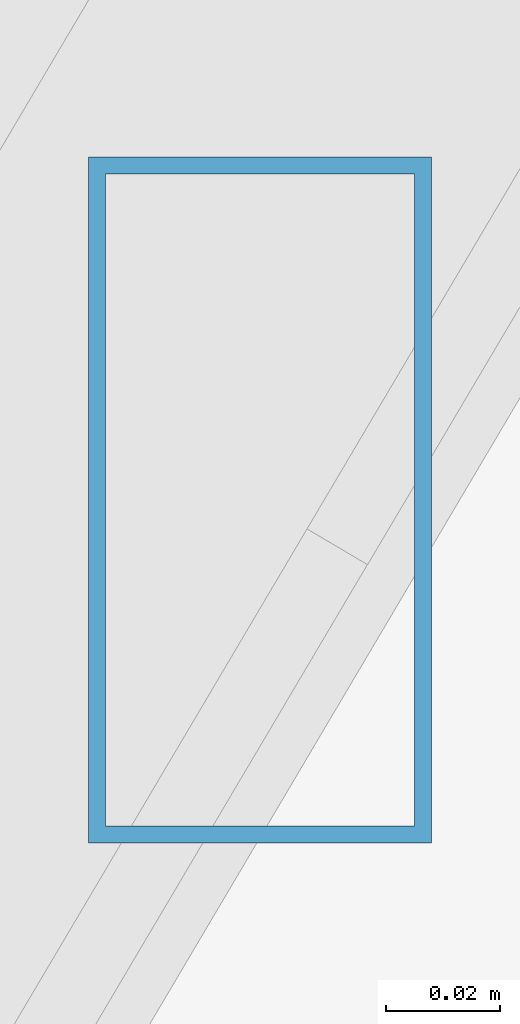
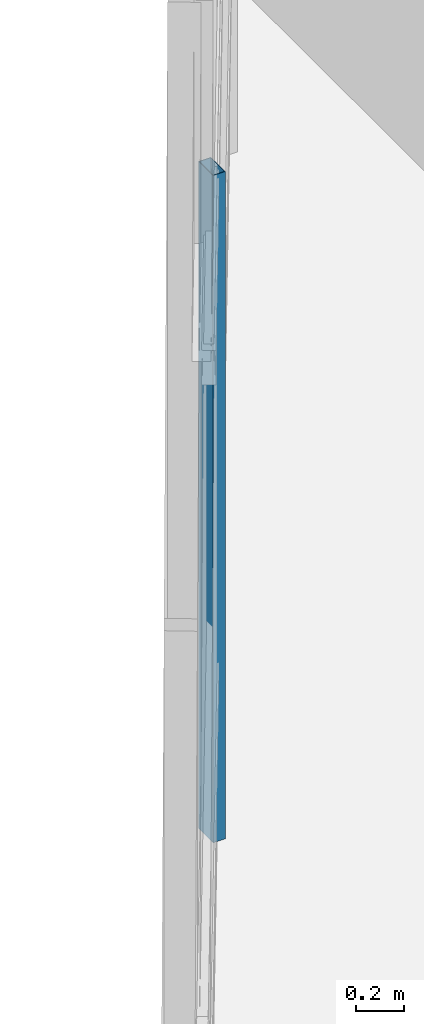
# One storey, part 36 of 50: 1 member, 1 element without a shape of its own.
"""IFC4 building model written with IfcOpenShell, lengths in metres."""

from ifc_helpers import new_model, si_unit, direction, frame, origin, origin_2d, place, context, subcontext, project, spatial, hollow_rectangle, extrude, source, transform, mapped, material, material_profile, profile_set, type_object, type_shapes, element, aggregate, save


model = new_model("IFC4")

# Units and contexts
model_context = context("Model", 3, precision=1e-05, world=origin(), true_north=direction((0.0, 1.0)))
body_context = subcontext(model_context, "Body", "Model", "MODEL_VIEW")
ifc_project = project(units=[si_unit("LENGTHUNIT", "METRE"), si_unit("AREAUNIT", "SQUARE_METRE"), si_unit("VOLUMEUNIT", "CUBIC_METRE"), si_unit("PLANEANGLEUNIT", "RADIAN"), si_unit("MASSUNIT", "GRAM", prefix="KILO")], contexts=[model_context])

# Site, building, storey
site_placement = place(None, origin())
site = spatial("IfcSite", under=ifc_project, at=site_placement, CompositionType="ELEMENT")
building_placement = place(site_placement, origin())
building = spatial("IfcBuilding", under=site, at=building_placement, Name="Caelisora Broadcast Tower", CompositionType="ELEMENT")
storey_placement = place(building_placement, frame((0.0, 0.0, 303.39990234375)))
storey = spatial("IfcBuildingStorey", under=building, at=storey_placement, Name="L80", CompositionType="ELEMENT", Elevation=303.39990234375)

# Curtain wall, member
ifc_material_1 = material(Name="Unitised Aluminium Insulated Shadow-Box Spandrel Curtain Wall", Category="aluminium")
curtain_wall_type = type_object("IfcCurtainWallType", Name="CW-SP3", PredefinedType="NOTDEFINED", material=ifc_material_1)
curtain_wall_placement = place(storey_placement, origin())
curtain_wall = element("IfcCurtainWall", 1, at=curtain_wall_placement, inside=storey, type_object=curtain_wall_type, Name="L80 curtain wall CW-SP3", PredefinedType="NOTDEFINED")
ifc_material_2 = material(Name="Aluminium 6063-T6 Anodised Terracotta Bronze", Category="aluminium")
ifc_material_profile = material_profile(ifc_material_2, hollow_rectangle(XDim=0.06005859375, YDim=0.1201171875, WallThickness=0.0029296875, at=origin_2d()), Name="Aluminium 6063-T6 Anodised Terracotta Bronze")
ifc_profile_set = profile_set([ifc_material_profile], Name="Aluminium 6063-T6 Anodised Terracotta Bronze")
member_type = type_object("IfcMemberType", Name="CWM-04", PredefinedType="MULLION", material=ifc_profile_set)
shared_shape = source(origin(), body_context, "Body", "SweptSolid", [
    extrude(hollow_rectangle(XDim=0.06005859375, YDim=0.1201171875, WallThickness=0.0029296875, at=origin_2d()), origin(), (0.0, 0.0, 1.0), 3.400146484375),
])
type_shapes(member_type, [shared_shape])
member_placement = place(storey_placement, frame((31.23095703125, 42.569091796875, 0.0), z_axis=(0.0, 0.0, 1.0), x_axis=(1.0, 0.0, 0.0)))
member = element("IfcMember", 2, at=member_placement, type_object=member_type, Name="L80-CW-B11 mullion #1", PredefinedType="MULLION", context=body_context, shape_type="MappedRepresentation", body=[
    mapped(shared_shape, transform((0.0, 0.0, 0.0), scale=1.0)),
])
aggregate(curtain_wall, [member])

save(model, "model.ifc")
